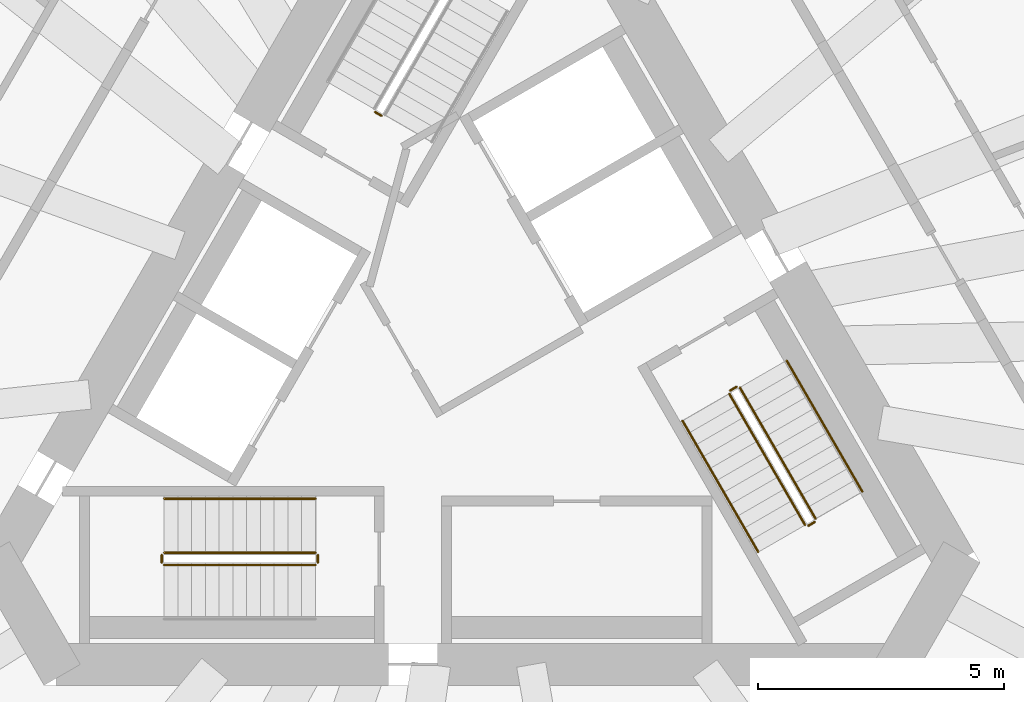
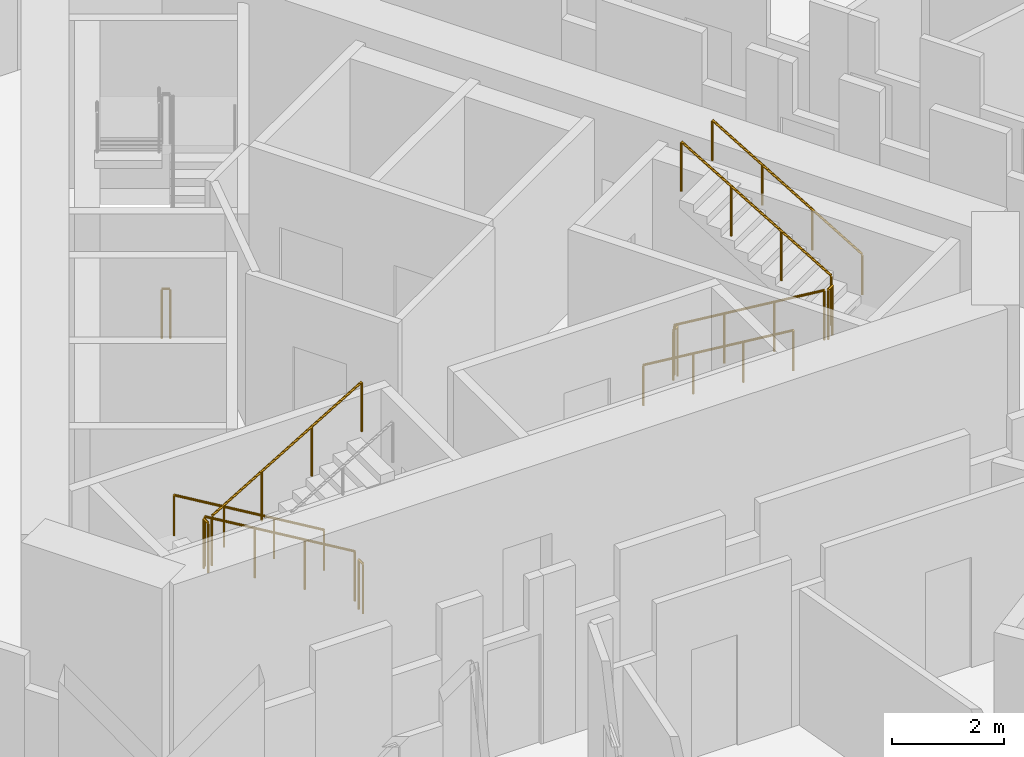
# One storey, part 11 of 14: 12 railings.
"""IFC4 building model written with IfcOpenShell, lengths in metres."""

import ifcopenshell
import ifcopenshell.guid

model = None  # the IFC model being written
_history = None  # IfcOwnerHistory: only IFC2X3 demands one
_inside = {}  # id of a spatial element -> (the spatial element, [elements in it])
_under = {}  # id of a project, library or spatial element -> (it, [spatial elements below it])
_declared = {}  # id of a project -> (the project, [libraries it declares])
_typed = {}  # id of a type object -> (the type object, [elements of that type])
_made_of = {}  # id of a material, layer set ... -> (it, [elements and type objects made of it])


def new_model(schema):
    """Start an empty IFC model of exactly this schema.

    Asked for "IFC4X3", IfcOpenShell would pick the latest addendum, in which some entities
    have other attributes; the version numbers below select the first issue.
    IFC2X3 requires an IfcOwnerHistory on every rooted entity: one is made here for all.
    """
    global model, _history
    if schema == "IFC4X3":
        model = ifcopenshell.file(schema_version=(4, 3, 0, 0))
    else:
        model = ifcopenshell.file(schema=schema)
    _inside.clear()
    _under.clear()
    _declared.clear()
    _typed.clear()
    _made_of.clear()
    _history = None
    if model.schema == "IFC2X3":
        org = make("IfcOrganization", Name="unknown")
        user = make(
            "IfcPersonAndOrganization",
            ThePerson=make("IfcPerson", FamilyName="unknown"),
            TheOrganization=org,
        )
        app = make(
            "IfcApplication",
            ApplicationDeveloper=org,
            Version="unknown",
            ApplicationFullName="unknown",
            ApplicationIdentifier="unknown",
        )
        _history = make(
            "IfcOwnerHistory",
            OwningUser=user,
            OwningApplication=app,
            ChangeAction="ADDED",
            CreationDate=0,
        )
    return model


def make(cls, **values):
    """One entity of the class cls with the attributes given. An attribute that is None is left unset."""
    return model.create_entity(
        cls, **{name: value for name, value in values.items() if value is not None}
    )


def rooted(cls, **values):
    """An entity with a GlobalId (a new one), such as an element, a storey or a relation."""
    return make(cls, GlobalId=ifcopenshell.guid.new(), OwnerHistory=_history, **values)


def si_unit(unit_type, name, prefix=None):
    """IfcSIUnit, for example si_unit("LENGTHUNIT", "METRE", prefix="MILLI")."""
    return make("IfcSIUnit", UnitType=unit_type, Prefix=prefix, Name=name)


def assignment(units):
    """IfcUnitAssignment: the units of a project."""
    return None if units is None else make("IfcUnitAssignment", Units=units)


def point(xyz):
    """IfcCartesianPoint."""
    return None if xyz is None else make("IfcCartesianPoint", Coordinates=xyz)


def direction(xyz):
    """IfcDirection."""
    return None if xyz is None else make("IfcDirection", DirectionRatios=xyz)


def frame(location, z_axis=None, x_axis=None):
    """IfcAxis2Placement3D, a coordinate frame: its origin and axes. An axis left out is left unset."""
    return make(
        "IfcAxis2Placement3D",
        Location=point(location),
        Axis=direction(z_axis),
        RefDirection=direction(x_axis),
    )


def frame_2d(location, x_axis=None):
    """IfcAxis2Placement2D, a coordinate frame in the plane: its origin and x axis."""
    return make(
        "IfcAxis2Placement2D", Location=point(location), RefDirection=direction(x_axis)
    )


def origin():
    """The frame at (0, 0, 0) with its axes left unset."""
    return frame((0.0, 0.0, 0.0))


def origin_2d():
    """The frame at (0, 0) in the plane with its x axis left unset."""
    return frame_2d((0.0, 0.0))


def place(relative_to, where):
    """IfcLocalPlacement: puts the frame where relative to a parent placement (None: the world)."""
    return make(
        "IfcLocalPlacement", PlacementRelTo=relative_to, RelativePlacement=where
    )


def context(
    kind, dimensions, precision=None, world=None, true_north=None, identifier=None
):
    """IfcGeometricRepresentationContext, for example the 3D "Model" context."""
    return make(
        "IfcGeometricRepresentationContext",
        ContextIdentifier=identifier,
        ContextType=kind,
        CoordinateSpaceDimension=dimensions,
        Precision=precision,
        WorldCoordinateSystem=world,
        TrueNorth=true_north,
    )


def subcontext(parent, identifier, kind, view, scale=None):
    """IfcGeometricRepresentationSubContext, for example "Body" below "Model"."""
    return make(
        "IfcGeometricRepresentationSubContext",
        ContextIdentifier=identifier,
        ContextType=kind,
        ParentContext=parent,
        TargetScale=scale,
        TargetView=view,
    )


def project(units=None, contexts=None):
    """IfcProject with its units and contexts."""
    return rooted(
        "IfcProject",
        Name="project",
        RepresentationContexts=contexts,
        UnitsInContext=assignment(units),
    )


def spatial(cls, under=None, at=None, **own):
    """A site, building, storey or space (cls), placed at a placement, below another one or the project."""
    s = rooted(cls, ObjectPlacement=at, **own)
    if under is not None:
        _under.setdefault(under.id(), (under, []))[1].append(s)
    return s


def profile(cls, at=None, kind="AREA", **sizes):
    """A parametric profile (cls). Its sizes go by their IFC names, for example OverallWidth=200.0."""
    return make(cls, ProfileType=kind, Position=at, **sizes)


def circle(**sizes):
    """IfcCircleProfileDef."""
    return profile("IfcCircleProfileDef", **sizes)


def extrude(swept, where, along, depth):
    """IfcExtrudedAreaSolid: the profile swept, set in the frame where, extruded along a direction by depth."""
    return make(
        "IfcExtrudedAreaSolid",
        SweptArea=swept,
        Position=where,
        ExtrudedDirection=direction(along),
        Depth=depth,
    )


def shape(context_of_items, identifier, shape_type, items):
    """IfcShapeRepresentation: the items that make up one representation, for example the "Body"."""
    return make(
        "IfcShapeRepresentation",
        ContextOfItems=context_of_items,
        RepresentationIdentifier=identifier,
        RepresentationType=shape_type,
        Items=items,
    )


def material(Name=None, Category=None):
    """IfcMaterial."""
    return make("IfcMaterial", Name=Name, Category=Category)


def made_of(thing, what):
    """Note that an element or type object is made of a material, layer set ...; save() writes the relation."""
    if what is not None:
        _made_of.setdefault(what.id(), (what, []))[1].append(thing)
    return thing


def type_object(cls, material=None, **own):
    """A type object (cls), such as IfcWallType, which elements share."""
    return made_of(rooted(cls, **own), material)


def element(
    cls,
    number,
    at=None,
    inside=None,
    cuts=None,
    type_object=None,
    material=None,
    context=None,
    identifier="Body",
    shape_type=None,
    held_by="IfcProductDefinitionShape",
    body=None,
    shapes=None,
    **own,
):
    """One element of the class cls, such as IfcWall. Its Tag is "e" and its number.

    at: its placement. inside: the storey or other place that contains it. cuts: it is an
    opening in that element (IfcRelVoidsElement). A single representation is given by context,
    identifier, shape_type and body (its items); several are given by shapes. held_by: the class
    of the entity that holds the representations. save() writes the other relations.
    """
    e = rooted(cls, Tag="e%d" % number, ObjectPlacement=at, **own)
    if body is not None:
        shapes = [shape(context, identifier, shape_type, body)]
    if shapes is not None:
        e.Representation = make(held_by, Representations=shapes)
    if inside is not None:
        _inside.setdefault(inside.id(), (inside, []))[1].append(e)
    if cuts is not None:
        rooted(
            "IfcRelVoidsElement", RelatingBuildingElement=cuts, RelatedOpeningElement=e
        )
    if type_object is not None:
        _typed.setdefault(type_object.id(), (type_object, []))[1].append(e)
    return made_of(e, material)


def aggregate(whole, parts):
    """IfcRelAggregates: a whole, such as a stair, and the parts it consists of."""
    return rooted("IfcRelAggregates", RelatingObject=whole, RelatedObjects=parts)


def save(model, path):
    """Write the relations noted so far, then the file.

    IfcRelAggregates (storeys below a building ...), IfcRelContainedInSpatialStructure (elements
    in a storey), IfcRelDefinesByType, IfcRelAssociatesMaterial and IfcRelDeclares: one each for
    every whole, place, type object, material and project.
    """
    for whole, parts in _under.values():
        aggregate(whole, parts)
    for where, things in _inside.values():
        rooted(
            "IfcRelContainedInSpatialStructure",
            RelatedElements=things,
            RelatingStructure=where,
        )
    for kind, things in _typed.values():
        rooted("IfcRelDefinesByType", RelatedObjects=things, RelatingType=kind)
    for what, things in _made_of.values():
        rooted("IfcRelAssociatesMaterial", RelatedObjects=things, RelatingMaterial=what)
    for by, libraries in _declared.values():
        rooted("IfcRelDeclares", RelatingContext=by, RelatedDefinitions=libraries)
    model.write(path)


model = new_model("IFC4")

# Units and contexts
model_context = context("Model", 3, precision=1e-05, world=origin(), true_north=direction((0.0, 1.0)))
body_context = subcontext(model_context, "Body", "Model", "MODEL_VIEW")
ifc_project = project(units=[si_unit("LENGTHUNIT", "METRE"), si_unit("AREAUNIT", "SQUARE_METRE"), si_unit("VOLUMEUNIT", "CUBIC_METRE"), si_unit("PLANEANGLEUNIT", "RADIAN"), si_unit("MASSUNIT", "GRAM", prefix="KILO")], contexts=[model_context])

# Site, building, storey
site_placement = place(None, origin())
site = spatial("IfcSite", under=ifc_project, at=site_placement, CompositionType="ELEMENT")
building_placement = place(site_placement, origin())
building = spatial("IfcBuilding", under=site, at=building_placement, Name="Tramontana Tower", CompositionType="ELEMENT")
storey_placement = place(building_placement, frame((0.0, 0.0, 166.800048828125)))
storey = spatial("IfcBuildingStorey", under=building, at=storey_placement, Name="L38", CompositionType="ELEMENT", Elevation=166.800048828125)

# Railings
ifc_material_1 = material(Name="Painted steel", Category="steel")
railing_type_1 = type_object("IfcRailingType", Name="STAIR GUARD 1100", PredefinedType="GUARDRAIL", material=ifc_material_1)
railing_1_placement = place(storey_placement, frame((-1.935791015625, 4.84716796875, 0.0)))
element("IfcRailing", 1, at=railing_1_placement, inside=storey, type_object=railing_type_1, Name="L38 ST1 stair guard 4", PredefinedType="GUARDRAIL", context=body_context, shape_type="SweptSolid", body=[
    extrude(circle(Radius=0.02392578125, at=origin_2d()), frame((0.0, 0.0, 1.076171875), z_axis=(-0.865426285481, 0.501036270542, 0.0), x_axis=(-0.501036270542, -0.865426285481, 0.0)), (0.0, 0.0, 1.0), 0.150146484375),
    extrude(circle(Radius=0.02099609375, at=origin_2d()), origin(), (0.0, 0.0, 1.0), 1.052001953125),
    extrude(circle(Radius=0.02099609375, at=origin_2d()), frame((-0.1298828125, 0.0751953125, 0.0)), (0.0, 0.0, 1.0), 1.052001953125),
])
railing_2_placement = place(storey_placement, frame((-3.280029296875, -4.050048828125, 0.16650390625)))
element("IfcRailing", 2, at=railing_2_placement, inside=storey, type_object=railing_type_1, Name="L38 ST2 stair guard 1", PredefinedType="GUARDRAIL", context=body_context, shape_type="SweptSolid", body=[
    extrude(circle(Radius=0.02392578125, at=origin_2d()), frame((0.0, 0.0, 1.076171875), z_axis=(-0.85927862911, 0.0, 0.511507807912), x_axis=(0.0, -1.0, 0.0)), (0.0, 0.0, 1.0), 3.58447265625),
    extrude(circle(Radius=0.02099609375, at=origin_2d()), origin(), (0.0, 0.0, 1.0), 1.052001953125),
    extrude(circle(Radius=0.02099609375, at=origin_2d()), frame((-1.026611328125, 0.0, 0.611083984375)), (0.0, 0.0, 1.0), 1.052001953125),
    extrude(circle(Radius=0.02099609375, at=origin_2d()), frame((-2.053466796875, 0.0, 1.222412109375)), (0.0, 0.0, 1.0), 1.052001953125),
    extrude(circle(Radius=0.02099609375, at=origin_2d()), frame((-3.080078125, 0.0, 1.83349609375)), (0.0, 0.0, 1.0), 1.052001953125),
])
railing_3_placement = place(storey_placement, frame((-6.360107421875, -4.300048828125, 2.16650390625)))
element("IfcRailing", 3, at=railing_3_placement, inside=storey, type_object=railing_type_1, Name="L38 ST2 stair guard 2", PredefinedType="GUARDRAIL", context=body_context, shape_type="SweptSolid", body=[
    extrude(circle(Radius=0.02392578125, at=origin_2d()), frame((0.0, 0.0, 1.076171875), z_axis=(0.85927862911, 0.0, 0.511507807912), x_axis=(0.0, 1.0, 0.0)), (0.0, 0.0, 1.0), 3.58447265625),
    extrude(circle(Radius=0.02099609375, at=origin_2d()), origin(), (0.0, 0.0, 1.0), 1.052001953125),
    extrude(circle(Radius=0.02099609375, at=origin_2d()), frame((1.026611328125, 0.0, 0.611083984375)), (0.0, 0.0, 1.0), 1.052001953125),
    extrude(circle(Radius=0.02099609375, at=origin_2d()), frame((2.053466796875, 0.0, 1.222412109375)), (0.0, 0.0, 1.0), 1.052001953125),
    extrude(circle(Radius=0.02099609375, at=origin_2d()), frame((3.080078125, 0.0, 1.83349609375)), (0.0, 0.0, 1.0), 1.052001953125),
])
for number, where, name in (
    (4, (-6.409912109375, -4.10009765625, 2.0), "L38 ST2 stair guard 3"),
    (5, (-3.22998046875, -4.10009765625, 0.0), "L38 ST2 stair guard 4"),
):
    element("IfcRailing", number, at=place(storey_placement, frame(where)), inside=storey, type_object=railing_type_1, Name=name, PredefinedType="GUARDRAIL", context=body_context, shape_type="SweptSolid", body=[
        extrude(circle(Radius=0.02392578125, at=origin_2d()), frame((0.0, 0.0, 1.076171875), z_axis=(0.0, -1.0, 0.0), x_axis=(1.0, 0.0, 0.0)), (0.0, 0.0, 1.0), 0.14990234375),
        extrude(circle(Radius=0.02099609375, at=origin_2d()), origin(), (0.0, 0.0, 1.0), 1.052001953125),
        extrude(circle(Radius=0.02099609375, at=origin_2d()), frame((0.0, -0.14990234375, 0.0)), (0.0, 0.0, 1.0), 1.052001953125),
    ])
railing_4_placement = place(storey_placement, frame((5.1474609375, -0.815673828125, 0.16650390625)))
element("IfcRailing", 6, at=railing_4_placement, inside=storey, type_object=railing_type_1, Name="L38 ST3 stair guard 1", PredefinedType="GUARDRAIL", context=body_context, shape_type="SweptSolid", body=[
    extrude(circle(Radius=0.02392578125, at=origin_2d()), frame((0.0, 0.0, 1.076171875), z_axis=(0.429656224001, -0.744133520484, 0.511527939481), x_axis=(0.866010015463, 0.500026652407, 0.0)), (0.0, 0.0, 1.0), 3.58447265625),
    extrude(circle(Radius=0.02099609375, at=origin_2d()), origin(), (0.0, 0.0, 1.0), 1.052001953125),
    extrude(circle(Radius=0.02099609375, at=origin_2d()), frame((0.513427734375, -0.88916015625, 0.611083984375)), (0.0, 0.0, 1.0), 1.052001953125),
    extrude(circle(Radius=0.02099609375, at=origin_2d()), frame((1.026611328125, -1.778076171875, 1.222412109375)), (0.0, 0.0, 1.0), 1.052001953125),
    extrude(circle(Radius=0.02099609375, at=origin_2d()), frame((1.5400390625, -2.667236328125, 1.83349609375)), (0.0, 0.0, 1.0), 1.052001953125),
])
railing_5_placement = place(storey_placement, frame((6.90380859375, -3.35791015625, 2.16650390625)))
element("IfcRailing", 7, at=railing_5_placement, inside=storey, type_object=railing_type_1, Name="L38 ST3 stair guard 2", PredefinedType="GUARDRAIL", context=body_context, shape_type="SweptSolid", body=[
    extrude(circle(Radius=0.02392578125, at=origin_2d()), frame((0.0, 0.0, 1.076171875), z_axis=(-0.429600682602, 0.744155296881, 0.511542908886), x_axis=(-0.866044340336, -0.499967199496, 0.0)), (0.0, 0.0, 1.0), 3.584228515625),
    extrude(circle(Radius=0.02099609375, at=origin_2d()), origin(), (0.0, 0.0, 1.0), 1.052001953125),
    extrude(circle(Radius=0.02099609375, at=origin_2d()), frame((-0.51318359375, 0.88916015625, 0.611083984375)), (0.0, 0.0, 1.0), 1.052001953125),
    extrude(circle(Radius=0.02099609375, at=origin_2d()), frame((-1.026611328125, 1.778076171875, 1.222412109375)), (0.0, 0.0, 1.0), 1.052001953125),
    extrude(circle(Radius=0.02099609375, at=origin_2d()), frame((-1.539794921875, 2.667236328125, 1.83349609375)), (0.0, 0.0, 1.0), 1.052001953125),
])
for number, where, name in (
    (8, (6.755615234375, -3.501220703125, 2.0), "L38 ST3 stair guard 3"),
    (9, (5.165771484375, -0.747314453125, 0.0), "L38 ST3 stair guard 4"),
):
    element("IfcRailing", number, at=place(storey_placement, frame(where)), inside=storey, type_object=railing_type_1, Name=name, PredefinedType="GUARDRAIL", context=body_context, shape_type="SweptSolid", body=[
        extrude(circle(Radius=0.02392578125, at=origin_2d()), frame((0.0, 0.0, 1.076171875), z_axis=(0.866131372301, 0.499816412211, 0.0), x_axis=(-0.499816412211, 0.866131372301, 0.0)), (0.0, 0.0, 1.0), 0.14990234375),
        extrude(circle(Radius=0.02099609375, at=origin_2d()), origin(), (0.0, 0.0, 1.0), 1.052001953125),
        extrude(circle(Radius=0.02099609375, at=origin_2d()), frame((0.1298828125, 0.074951171875, 0.0)), (0.0, 0.0, 1.0), 1.052001953125),
    ])
ifc_material_2 = material(Name="Painted steel", Category="steel")
railing_type_2 = type_object("IfcRailingType", Name="STAIR HANDRAIL 900", PredefinedType="HANDRAIL", material=ifc_material_2)
railing_6_placement = place(storey_placement, frame((-3.280029296875, -2.949951171875, 0.16650390625)))
element("IfcRailing", 10, at=railing_6_placement, inside=storey, type_object=railing_type_2, Name="L38 ST2 stair handrail 1", PredefinedType="HANDRAIL", context=body_context, shape_type="SweptSolid", body=[
    extrude(circle(Radius=0.02392578125, at=origin_2d()), frame((0.0, 0.0, 0.8759765625), z_axis=(-0.85927862911, 0.0, 0.511507807912), x_axis=(0.0, -1.0, 0.0)), (0.0, 0.0, 1.0), 3.58447265625),
    extrude(circle(Radius=0.02099609375, at=origin_2d()), origin(), (0.0, 0.0, 1.0), 0.851806640625),
    extrude(circle(Radius=0.02099609375, at=origin_2d()), frame((-1.026611328125, 0.0, 0.611083984375)), (0.0, 0.0, 1.0), 0.851806640625),
    extrude(circle(Radius=0.02099609375, at=origin_2d()), frame((-2.053466796875, 0.0, 1.222412109375)), (0.0, 0.0, 1.0), 0.851806640625),
    extrude(circle(Radius=0.02099609375, at=origin_2d()), frame((-3.080078125, 0.0, 1.83349609375)), (0.0, 0.0, 1.0), 0.851806640625),
])
railing_7_placement = place(storey_placement, frame((4.19482421875, -1.365478515625, 0.16650390625)))
element("IfcRailing", 11, at=railing_7_placement, inside=storey, type_object=railing_type_2, Name="L38 ST3 stair handrail 1", PredefinedType="HANDRAIL", context=body_context, shape_type="SweptSolid", body=[
    extrude(circle(Radius=0.02392578125, at=origin_2d()), frame((0.0, 0.0, 0.8759765625), z_axis=(0.429634447492, -0.7441639146, 0.511502013422), x_axis=(0.866029832698, 0.499992328818, 0.0)), (0.0, 0.0, 1.0), 3.58447265625),
    extrude(circle(Radius=0.02099609375, at=origin_2d()), origin(), (0.0, 0.0, 1.0), 0.851806640625),
    extrude(circle(Radius=0.02099609375, at=origin_2d()), frame((0.513427734375, -0.88916015625, 0.611083984375)), (0.0, 0.0, 1.0), 0.851806640625),
    extrude(circle(Radius=0.02099609375, at=origin_2d()), frame((1.026611328125, -1.7783203125, 1.222412109375)), (0.0, 0.0, 1.0), 0.851806640625),
    extrude(circle(Radius=0.02099609375, at=origin_2d()), frame((1.5400390625, -2.66748046875, 1.83349609375)), (0.0, 0.0, 1.0), 0.851806640625),
])
railing_8_placement = place(storey_placement, frame((7.8564453125, -2.807861328125, 2.16650390625)))
element("IfcRailing", 12, at=railing_8_placement, inside=storey, type_object=railing_type_2, Name="L38 ST3 stair handrail 2", PredefinedType="HANDRAIL", context=body_context, shape_type="SweptSolid", body=[
    extrude(circle(Radius=0.02392578125, at=origin_2d()), frame((0.0, 0.0, 0.8759765625), z_axis=(-0.429600682602, 0.744155296881, 0.511542908886), x_axis=(-0.866044340336, -0.499967199496, 0.0)), (0.0, 0.0, 1.0), 3.584228515625),
    extrude(circle(Radius=0.02099609375, at=origin_2d()), origin(), (0.0, 0.0, 1.0), 0.851806640625),
    extrude(circle(Radius=0.02099609375, at=origin_2d()), frame((-0.51318359375, 0.88916015625, 0.611083984375)), (0.0, 0.0, 1.0), 0.851806640625),
    extrude(circle(Radius=0.02099609375, at=origin_2d()), frame((-1.026611328125, 1.778076171875, 1.222412109375)), (0.0, 0.0, 1.0), 0.851806640625),
    extrude(circle(Radius=0.02099609375, at=origin_2d()), frame((-1.539794921875, 2.667236328125, 1.83349609375)), (0.0, 0.0, 1.0), 0.851806640625),
])

save(model, "model.ifc")
